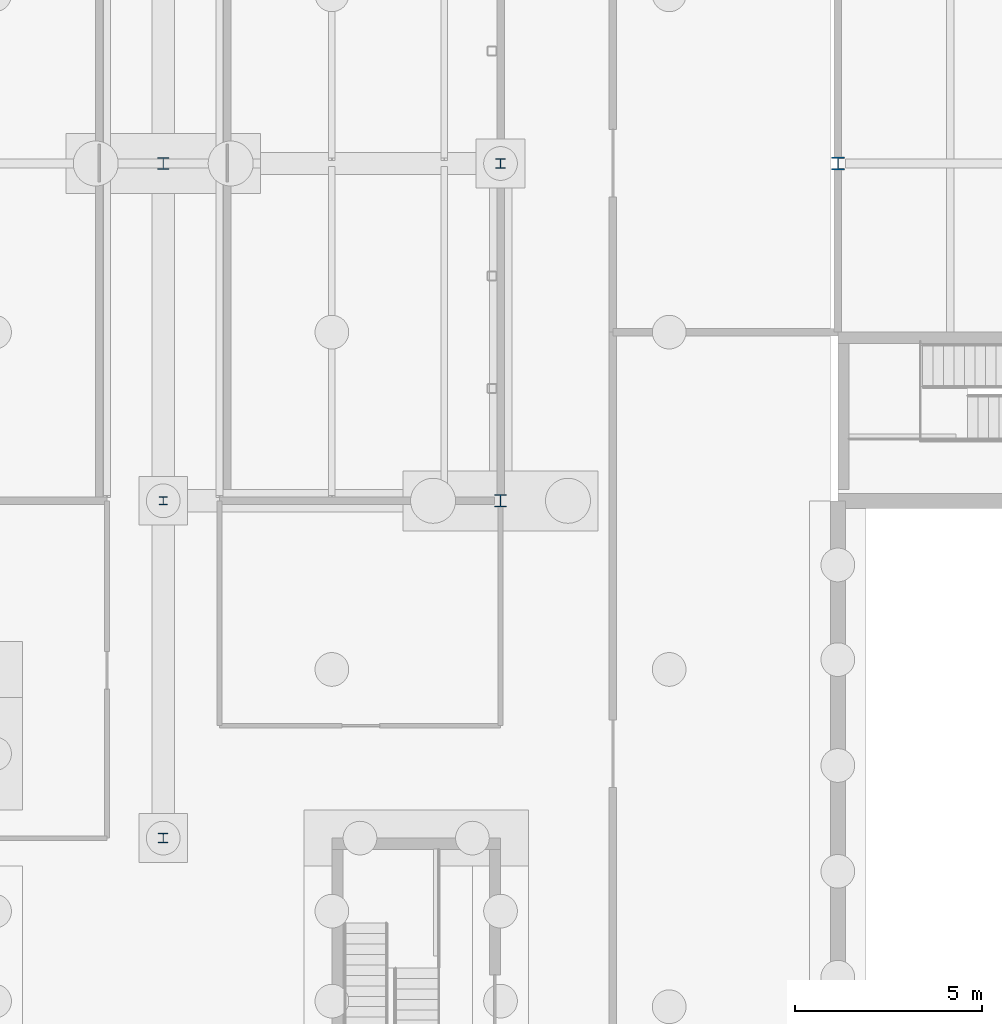
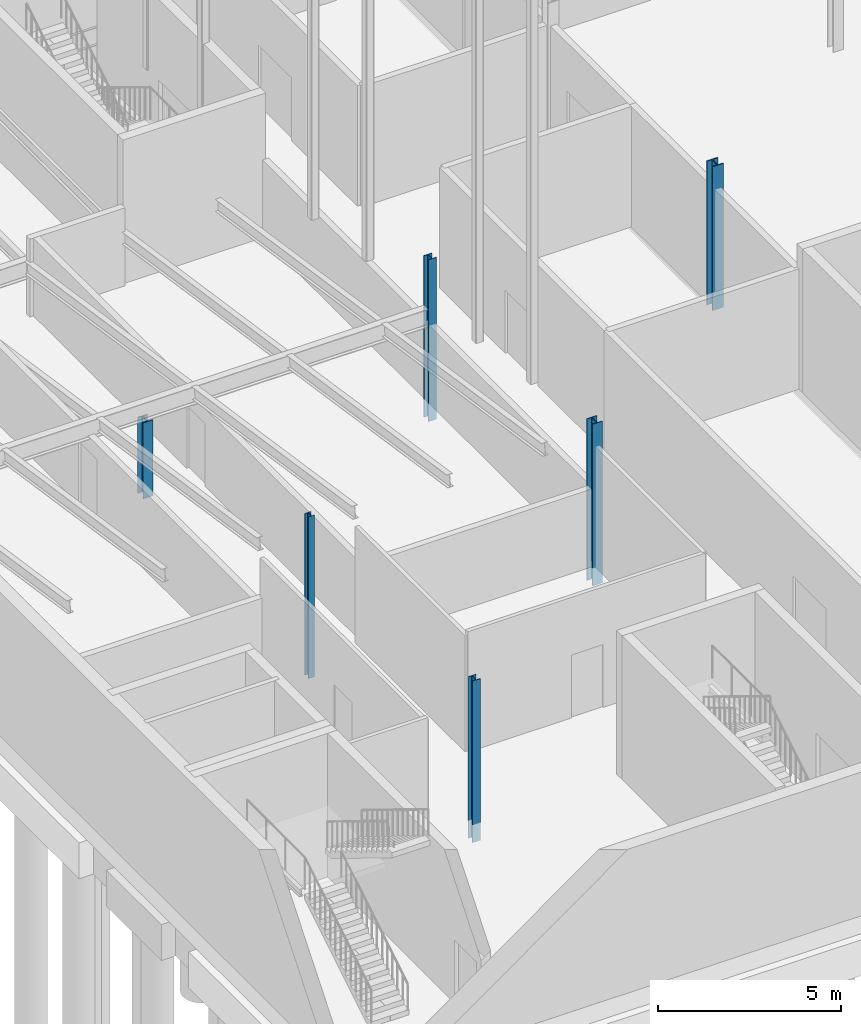
# One storey, part 3 of 31: 6 columns.
"""IFC4 building model written with IfcOpenShell, lengths in metres."""

from ifc_helpers import new_model, si_unit, direction, frame, origin, origin_2d, place, context, subcontext, project, spatial, i_section, extrude, material, material_profile, profile_set, type_object, element, save


model = new_model("IFC4")

# Units and contexts
model_context = context("Model", 3, precision=1e-05, world=origin(), true_north=direction((0.0, 1.0)))
body_context = subcontext(model_context, "Body", "Model", "MODEL_VIEW")
ifc_project = project(units=[si_unit("LENGTHUNIT", "METRE"), si_unit("AREAUNIT", "SQUARE_METRE"), si_unit("VOLUMEUNIT", "CUBIC_METRE"), si_unit("PLANEANGLEUNIT", "RADIAN"), si_unit("MASSUNIT", "GRAM", prefix="KILO")], contexts=[model_context])

# Site, building, storey
site_placement = place(None, origin())
site = spatial("IfcSite", under=ifc_project, at=site_placement, CompositionType="ELEMENT")
building_placement = place(site_placement, origin())
building = spatial("IfcBuilding", under=site, at=building_placement, Name="Halyard Row Museum", CompositionType="ELEMENT")
storey_placement = place(building_placement, frame((0.0, 0.0, -4.800048828125)))
storey = spatial("IfcBuildingStorey", under=building, at=storey_placement, Name="B1", CompositionType="ELEMENT", Elevation=-4.800048828125)

# Columns
ifc_material_1 = material(Name="Steel Grade 300", Category="steel")
ifc_material_profile_1 = material_profile(ifc_material_1, i_section(OverallWidth=0.202880859375, OverallDepth=0.203369140625, WebThickness=0.00732421875, FlangeThickness=0.010986328125, FilletRadius=0.011474609375, at=origin_2d()), Name="200UC46.2")
ifc_profile_set_1 = profile_set([ifc_material_profile_1], Name="Steel Grade 300")
column_type_1 = type_object("IfcColumnType", Name="Column 200UC46.2 interior (on cap)", PredefinedType="COLUMN", material=ifc_profile_set_1)
column_1_placement = place(storey_placement, frame((9.0, 18.0, -0.599853515625), z_axis=(0.0, 0.0, 1.0), x_axis=(1.0, 0.0, 0.0)))
element("IfcColumn", 1, at=column_1_placement, inside=storey, type_object=column_type_1, Name="Column 2C B1", PredefinedType="COLUMN", context=body_context, shape_type="SweptSolid", body=[
    extrude(i_section(OverallWidth=0.202880859375, OverallDepth=0.203369140625, WebThickness=0.00732421875, FlangeThickness=0.010986328125, FilletRadius=0.011474609375, at=origin_2d()), origin(), (0.0, 0.0, 1.0), 5.39990234375),
])
ifc_material_2 = material(Name="Steel Grade 300", Category="steel")
ifc_material_profile_2 = material_profile(ifc_material_2, i_section(OverallWidth=0.25390625, OverallDepth=0.25390625, WebThickness=0.008544921875, FlangeThickness=0.01416015625, FilletRadius=0.013916015625, at=origin_2d()), Name="250UC72.9")
ifc_profile_set_2 = profile_set([ifc_material_profile_2], Name="Steel Grade 300")
column_type_2 = type_object("IfcColumnType", Name="Column 250UC72.9 interior (on cap)", PredefinedType="COLUMN", material=ifc_profile_set_2)
for number, where, z_axis, x_axis, name in (
    (2, (9.0, 9.0, -0.599853515625), (0.0, 0.0, 1.0), (1.0, 0.0, 0.0), "Column 2B B1"),
    (3, (18.0, 27.0, -0.599853515625), (0.0, 0.0, 1.0), (1.0, 0.0, 0.0), "Column 3D B1"),
):
    element("IfcColumn", number, at=place(storey_placement, frame(where, z_axis=z_axis, x_axis=x_axis)), inside=storey, type_object=column_type_2, Name=name, PredefinedType="COLUMN", context=body_context, shape_type="SweptSolid", body=[
        extrude(i_section(OverallWidth=0.25390625, OverallDepth=0.25390625, WebThickness=0.008544921875, FlangeThickness=0.01416015625, FilletRadius=0.013916015625, at=origin_2d()), origin(), (0.0, 0.0, 1.0), 5.39990234375),
    ])
ifc_material_3 = material(Name="Steel Grade 300", Category="steel")
ifc_material_profile_3 = material_profile(ifc_material_3, i_section(OverallWidth=0.31103515625, OverallDepth=0.3271484375, WebThickness=0.015625, FlangeThickness=0.02490234375, FilletRadius=0.0166015625, at=origin_2d()), Name="310UC158")
ifc_profile_set_3 = profile_set([ifc_material_profile_3], Name="Steel Grade 300")
column_type_3 = type_object("IfcColumnType", Name="Column 310UC158 interior (on cap)", PredefinedType="COLUMN", material=ifc_profile_set_3)
column_2_placement = place(storey_placement, frame((18.0, 18.0, -0.599853515625), z_axis=(0.0, 0.0, 1.0), x_axis=(1.0, 0.0, 0.0)))
element("IfcColumn", 4, at=column_2_placement, inside=storey, type_object=column_type_3, Name="Column 3C B1", PredefinedType="COLUMN", context=body_context, shape_type="SweptSolid", body=[
    extrude(i_section(OverallWidth=0.31103515625, OverallDepth=0.3271484375, WebThickness=0.015625, FlangeThickness=0.02490234375, FilletRadius=0.0166015625, at=origin_2d()), origin(), (0.0, 0.0, 1.0), 5.39990234375),
])
ifc_material_4 = material(Name="Steel Grade 300", Category="steel")
ifc_material_profile_4 = material_profile(ifc_material_4, i_section(OverallWidth=0.35009765625, OverallDepth=0.339111328125, WebThickness=0.02490234375, FlangeThickness=0.031982421875, at=origin_2d()), Name="350WC230")
ifc_profile_set_4 = profile_set([ifc_material_profile_4], Name="Steel Grade 300")
column_type_4 = type_object("IfcColumnType", Name="Column 350WC230 interior", PredefinedType="COLUMN", material=ifc_profile_set_4)
column_3_placement = place(storey_placement, frame((27.0, 27.0, 0.0), z_axis=(0.0, 0.0, 1.0), x_axis=(1.0, 0.0, 0.0)))
element("IfcColumn", 5, at=column_3_placement, inside=storey, type_object=column_type_4, Name="Column 4D B1", PredefinedType="COLUMN", context=body_context, shape_type="SweptSolid", body=[
    extrude(i_section(OverallWidth=0.35009765625, OverallDepth=0.339111328125, WebThickness=0.02490234375, FlangeThickness=0.031982421875, at=origin_2d()), origin(), (0.0, 0.0, 1.0), 4.800048828125),
])
ifc_material_5 = material(Name="Steel Grade 300", Category="steel")
ifc_material_profile_5 = material_profile(ifc_material_5, i_section(OverallWidth=0.31103515625, OverallDepth=0.3271484375, WebThickness=0.015625, FlangeThickness=0.02490234375, FilletRadius=0.0166015625, at=origin_2d()), Name="310UC158")
ifc_profile_set_5 = profile_set([ifc_material_profile_5], Name="Steel Grade 300")
column_type_5 = type_object("IfcColumnType", Name="Rake column 310UC158 grid D", PredefinedType="COLUMN", material=ifc_profile_set_5)
column_4_placement = place(storey_placement, frame((9.0, 27.0, 0.0), z_axis=(0.0, 0.0, 1.0), x_axis=(1.0, 0.0, 0.0)))
element("IfcColumn", 6, at=column_4_placement, inside=storey, type_object=column_type_5, Name="Rake column at y 27", PredefinedType="COLUMN", context=body_context, shape_type="SweptSolid", body=[
    extrude(i_section(OverallWidth=0.31103515625, OverallDepth=0.3271484375, WebThickness=0.015625, FlangeThickness=0.02490234375, FilletRadius=0.0166015625, at=origin_2d()), origin(), (0.0, 0.0, 1.0), 2.539794921875),
])

save(model, "model.ifc")
